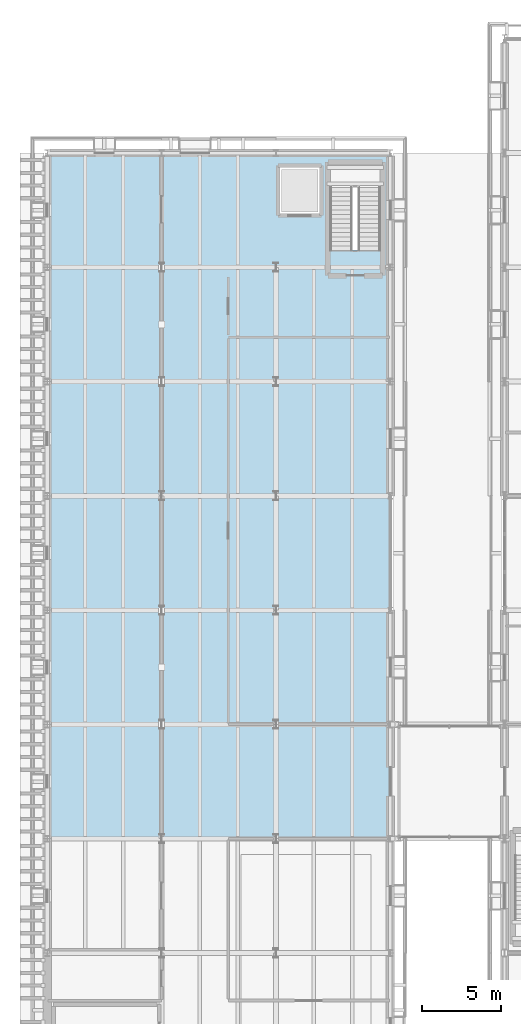
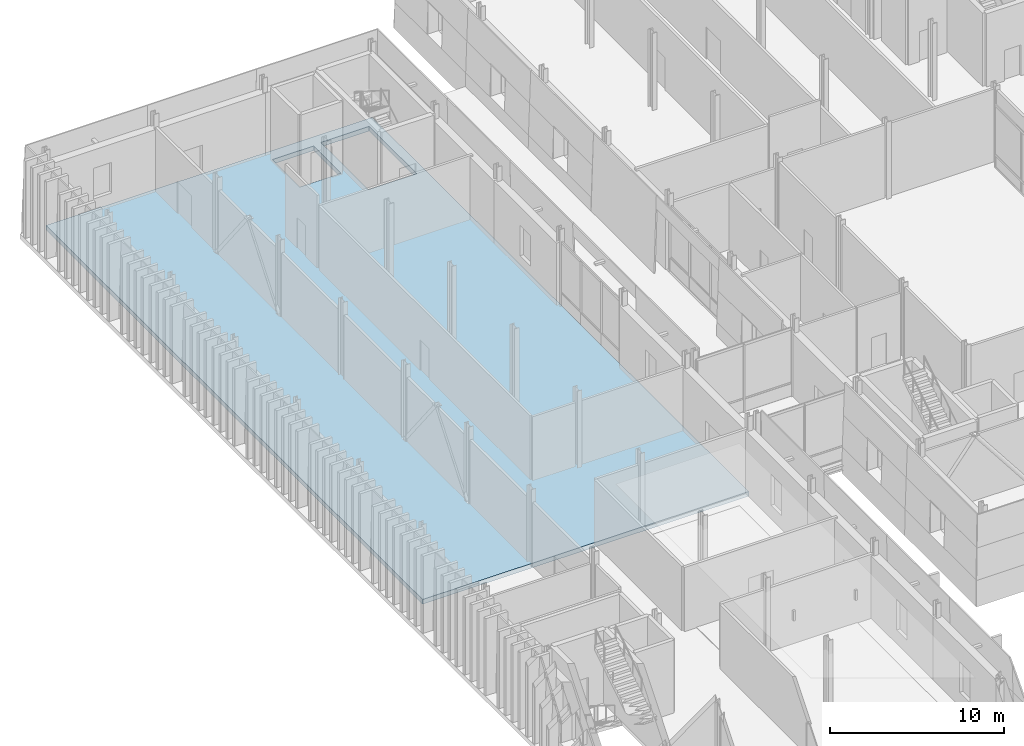
# One storey, part 57 of 120: 1 slab.
"""IFC4 building model written with IfcOpenShell, lengths in metres."""

from ifc_helpers import new_model, si_unit, direction, frame, origin, place, context, subcontext, project, spatial, polyline, outline, extrude, material, layer, layer_set, type_object, element, save


model = new_model("IFC4")

# Units and contexts
model_context = context("Model", 3, precision=1e-05, world=origin(), true_north=direction((0.0, 1.0)))
body_context = subcontext(model_context, "Body", "Model", "MODEL_VIEW")
ifc_project = project(units=[si_unit("LENGTHUNIT", "METRE"), si_unit("AREAUNIT", "SQUARE_METRE"), si_unit("VOLUMEUNIT", "CUBIC_METRE"), si_unit("PLANEANGLEUNIT", "RADIAN"), si_unit("MASSUNIT", "GRAM", prefix="KILO")], contexts=[model_context])

# Site, building, storey
site_placement = place(None, origin())
site = spatial("IfcSite", under=ifc_project, at=site_placement, CompositionType="ELEMENT")
building_placement = place(site_placement, origin())
building = spatial("IfcBuilding", under=site, at=building_placement, Name="Narikvali Park Central Library", CompositionType="ELEMENT")
storey_placement = place(building_placement, origin())
storey = spatial("IfcBuildingStorey", under=building, at=storey_placement, Name="L00", CompositionType="ELEMENT", Elevation=0.0)

# Slab
ifc_material = material(Name="Concrete C35/45", Category="concrete")
ifc_layer = layer(ifc_material, 0.320068359375, Name="Concrete C35/45")
ifc_layer_set = layer_set([ifc_layer], Name="Concrete C35/45")
slab_type = type_object("IfcSlabType", Name="Ground Plinth Composite Slab 320", PredefinedType="FLOOR", material=ifc_layer_set)
slab_placement = place(storey_placement, frame((0.0, 0.0, -0.320068359375)))
element("IfcSlab", 1, at=slab_placement, inside=storey, type_object=slab_type, Name="V5 L00 Structural Slab Panel 2", PredefinedType="FLOOR", context=body_context, shape_type="SweptSolid", body=[
    extrude(outline(polyline([(0.0, 64.800048828125), (21.60009765625, 64.800048828125), (21.60009765625, 108.0), (0.0, 108.0), (0.0, 64.800048828125)]), holes=[polyline([(17.800048828125, 101.85009765625), (21.0, 101.85009765625), (21.0, 107.300048828125), (17.800048828125, 107.300048828125), (17.800048828125, 101.85009765625)]), polyline([(14.52001953125, 104.050048828125), (17.27001953125, 104.050048828125), (17.27001953125, 107.199951171875), (14.52001953125, 107.199951171875), (14.52001953125, 104.050048828125)])]), origin(), (0.0, 0.0, 1.0), 0.320068359375),
])

save(model, "model.ifc")
